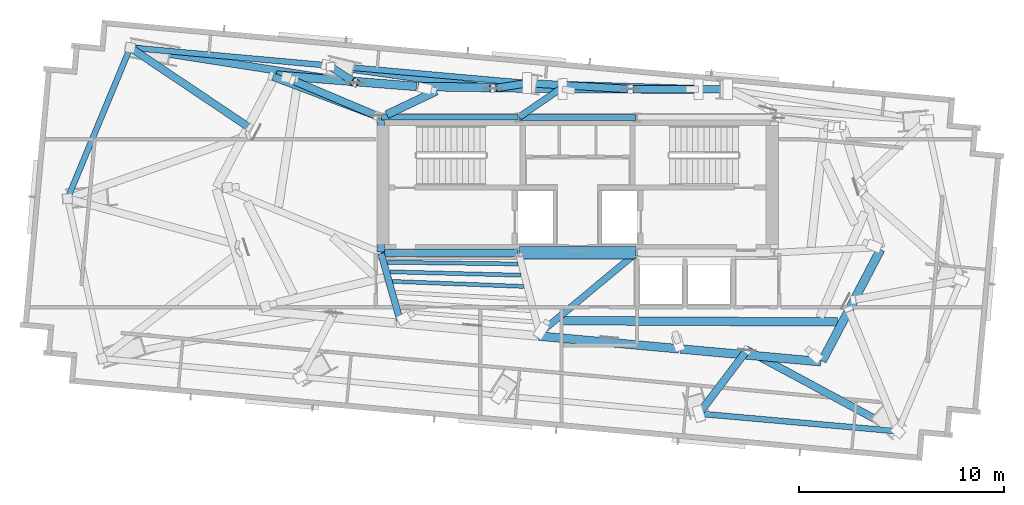
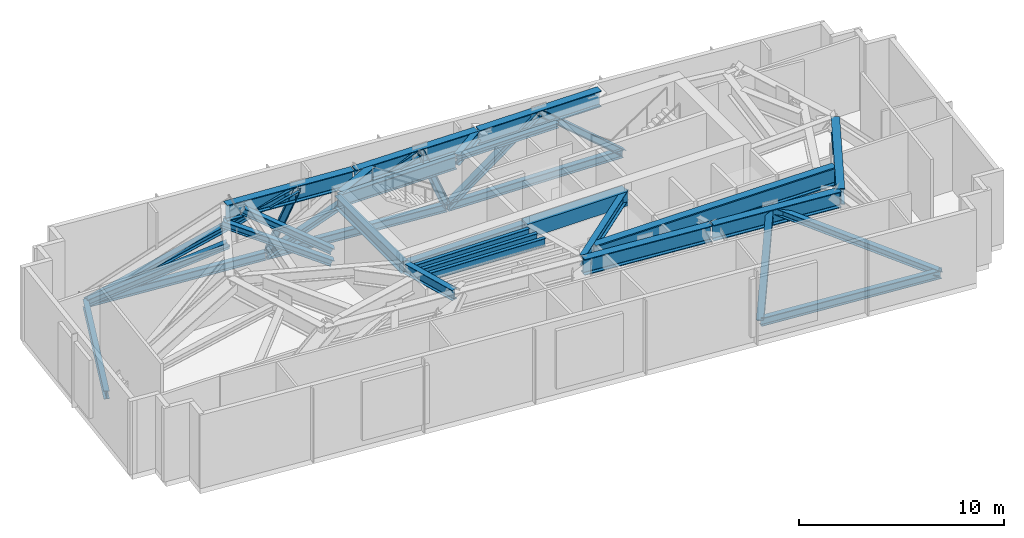
# One storey, part 2 of 9: 19 beams, 16 members.
"""IFC4 building model written with IfcOpenShell, lengths in metres."""

import ifcopenshell
import ifcopenshell.guid

model = None  # the IFC model being written
_history = None  # IfcOwnerHistory: only IFC2X3 demands one
_inside = {}  # id of a spatial element -> (the spatial element, [elements in it])
_under = {}  # id of a project, library or spatial element -> (it, [spatial elements below it])
_declared = {}  # id of a project -> (the project, [libraries it declares])
_typed = {}  # id of a type object -> (the type object, [elements of that type])
_made_of = {}  # id of a material, layer set ... -> (it, [elements and type objects made of it])


def new_model(schema):
    """Start an empty IFC model of exactly this schema.

    Asked for "IFC4X3", IfcOpenShell would pick the latest addendum, in which some entities
    have other attributes; the version numbers below select the first issue.
    IFC2X3 requires an IfcOwnerHistory on every rooted entity: one is made here for all.
    """
    global model, _history
    if schema == "IFC4X3":
        model = ifcopenshell.file(schema_version=(4, 3, 0, 0))
    else:
        model = ifcopenshell.file(schema=schema)
    _inside.clear()
    _under.clear()
    _declared.clear()
    _typed.clear()
    _made_of.clear()
    _history = None
    if model.schema == "IFC2X3":
        org = make("IfcOrganization", Name="unknown")
        user = make(
            "IfcPersonAndOrganization",
            ThePerson=make("IfcPerson", FamilyName="unknown"),
            TheOrganization=org,
        )
        app = make(
            "IfcApplication",
            ApplicationDeveloper=org,
            Version="unknown",
            ApplicationFullName="unknown",
            ApplicationIdentifier="unknown",
        )
        _history = make(
            "IfcOwnerHistory",
            OwningUser=user,
            OwningApplication=app,
            ChangeAction="ADDED",
            CreationDate=0,
        )
    return model


def make(cls, **values):
    """One entity of the class cls with the attributes given. An attribute that is None is left unset."""
    return model.create_entity(
        cls, **{name: value for name, value in values.items() if value is not None}
    )


def rooted(cls, **values):
    """An entity with a GlobalId (a new one), such as an element, a storey or a relation."""
    return make(cls, GlobalId=ifcopenshell.guid.new(), OwnerHistory=_history, **values)


def si_unit(unit_type, name, prefix=None):
    """IfcSIUnit, for example si_unit("LENGTHUNIT", "METRE", prefix="MILLI")."""
    return make("IfcSIUnit", UnitType=unit_type, Prefix=prefix, Name=name)


def assignment(units):
    """IfcUnitAssignment: the units of a project."""
    return None if units is None else make("IfcUnitAssignment", Units=units)


def point(xyz):
    """IfcCartesianPoint."""
    return None if xyz is None else make("IfcCartesianPoint", Coordinates=xyz)


def direction(xyz):
    """IfcDirection."""
    return None if xyz is None else make("IfcDirection", DirectionRatios=xyz)


def frame(location, z_axis=None, x_axis=None):
    """IfcAxis2Placement3D, a coordinate frame: its origin and axes. An axis left out is left unset."""
    return make(
        "IfcAxis2Placement3D",
        Location=point(location),
        Axis=direction(z_axis),
        RefDirection=direction(x_axis),
    )


def frame_2d(location, x_axis=None):
    """IfcAxis2Placement2D, a coordinate frame in the plane: its origin and x axis."""
    return make(
        "IfcAxis2Placement2D", Location=point(location), RefDirection=direction(x_axis)
    )


def origin():
    """The frame at (0, 0, 0) with its axes left unset."""
    return frame((0.0, 0.0, 0.0))


def origin_2d():
    """The frame at (0, 0) in the plane with its x axis left unset."""
    return frame_2d((0.0, 0.0))


def place(relative_to, where):
    """IfcLocalPlacement: puts the frame where relative to a parent placement (None: the world)."""
    return make(
        "IfcLocalPlacement", PlacementRelTo=relative_to, RelativePlacement=where
    )


def context(
    kind, dimensions, precision=None, world=None, true_north=None, identifier=None
):
    """IfcGeometricRepresentationContext, for example the 3D "Model" context."""
    return make(
        "IfcGeometricRepresentationContext",
        ContextIdentifier=identifier,
        ContextType=kind,
        CoordinateSpaceDimension=dimensions,
        Precision=precision,
        WorldCoordinateSystem=world,
        TrueNorth=true_north,
    )


def subcontext(parent, identifier, kind, view, scale=None):
    """IfcGeometricRepresentationSubContext, for example "Body" below "Model"."""
    return make(
        "IfcGeometricRepresentationSubContext",
        ContextIdentifier=identifier,
        ContextType=kind,
        ParentContext=parent,
        TargetScale=scale,
        TargetView=view,
    )


def project(units=None, contexts=None):
    """IfcProject with its units and contexts."""
    return rooted(
        "IfcProject",
        Name="project",
        RepresentationContexts=contexts,
        UnitsInContext=assignment(units),
    )


def spatial(cls, under=None, at=None, **own):
    """A site, building, storey or space (cls), placed at a placement, below another one or the project."""
    s = rooted(cls, ObjectPlacement=at, **own)
    if under is not None:
        _under.setdefault(under.id(), (under, []))[1].append(s)
    return s


def profile(cls, at=None, kind="AREA", **sizes):
    """A parametric profile (cls). Its sizes go by their IFC names, for example OverallWidth=200.0."""
    return make(cls, ProfileType=kind, Position=at, **sizes)


def rectangle(**sizes):
    """IfcRectangleProfileDef."""
    return profile("IfcRectangleProfileDef", **sizes)


def i_section(**sizes):
    """IfcIShapeProfileDef."""
    return profile("IfcIShapeProfileDef", **sizes)


def extrude(swept, where, along, depth):
    """IfcExtrudedAreaSolid: the profile swept, set in the frame where, extruded along a direction by depth."""
    return make(
        "IfcExtrudedAreaSolid",
        SweptArea=swept,
        Position=where,
        ExtrudedDirection=direction(along),
        Depth=depth,
    )


def shape(context_of_items, identifier, shape_type, items):
    """IfcShapeRepresentation: the items that make up one representation, for example the "Body"."""
    return make(
        "IfcShapeRepresentation",
        ContextOfItems=context_of_items,
        RepresentationIdentifier=identifier,
        RepresentationType=shape_type,
        Items=items,
    )


def source(mapping_origin, context_of_items, identifier, shape_type, items):
    """IfcRepresentationMap: a shape defined once, which mapped items show again and again."""
    return make(
        "IfcRepresentationMap",
        MappingOrigin=mapping_origin,
        MappedRepresentation=shape(context_of_items, identifier, shape_type, items),
    )


def transform(
    local_origin,
    x_axis=None,
    y_axis=None,
    z_axis=None,
    scale=None,
    scale2=None,
    scale3=None,
    uniform=True,
):
    """IfcCartesianTransformationOperator3D, or its non-uniform kind. x_axis, y_axis, z_axis: its Axis1, 2, 3."""
    if uniform:
        return make(
            "IfcCartesianTransformationOperator3D",
            Axis1=direction(x_axis),
            Axis2=direction(y_axis),
            LocalOrigin=point(local_origin),
            Scale=scale,
            Axis3=direction(z_axis),
        )
    return make(
        "IfcCartesianTransformationOperator3DnonUniform",
        Axis1=direction(x_axis),
        Axis2=direction(y_axis),
        LocalOrigin=point(local_origin),
        Scale=scale,
        Axis3=direction(z_axis),
        Scale2=scale2,
        Scale3=scale3,
    )


def mapped(mapping_source, mapping_target):
    """IfcMappedItem: shows the shape of a source again, moved by a transform."""
    return make(
        "IfcMappedItem", MappingSource=mapping_source, MappingTarget=mapping_target
    )


def material(Name=None, Category=None):
    """IfcMaterial."""
    return make("IfcMaterial", Name=Name, Category=Category)


def material_profile(
    of_material, cross_section, Name=None, Category=None, Priority=None
):
    """IfcMaterialProfile: a cross section and its material."""
    return make(
        "IfcMaterialProfile",
        Name=Name,
        Material=of_material,
        Profile=cross_section,
        Priority=Priority,
        Category=Category,
    )


def profile_set(profiles, Name=None, composite=None):
    """IfcMaterialProfileSet."""
    return make(
        "IfcMaterialProfileSet",
        Name=Name,
        MaterialProfiles=profiles,
        CompositeProfile=composite,
    )


def made_of(thing, what):
    """Note that an element or type object is made of a material, layer set ...; save() writes the relation."""
    if what is not None:
        _made_of.setdefault(what.id(), (what, []))[1].append(thing)
    return thing


def type_object(cls, material=None, **own):
    """A type object (cls), such as IfcWallType, which elements share."""
    return made_of(rooted(cls, **own), material)


def type_shapes(of_type, sources):
    """Give a type object the sources (RepresentationMaps) that its elements show as mapped items."""
    of_type.RepresentationMaps = sources


def element(
    cls,
    number,
    at=None,
    inside=None,
    cuts=None,
    type_object=None,
    material=None,
    context=None,
    identifier="Body",
    shape_type=None,
    held_by="IfcProductDefinitionShape",
    body=None,
    shapes=None,
    **own,
):
    """One element of the class cls, such as IfcWall. Its Tag is "e" and its number.

    at: its placement. inside: the storey or other place that contains it. cuts: it is an
    opening in that element (IfcRelVoidsElement). A single representation is given by context,
    identifier, shape_type and body (its items); several are given by shapes. held_by: the class
    of the entity that holds the representations. save() writes the other relations.
    """
    e = rooted(cls, Tag="e%d" % number, ObjectPlacement=at, **own)
    if body is not None:
        shapes = [shape(context, identifier, shape_type, body)]
    if shapes is not None:
        e.Representation = make(held_by, Representations=shapes)
    if inside is not None:
        _inside.setdefault(inside.id(), (inside, []))[1].append(e)
    if cuts is not None:
        rooted(
            "IfcRelVoidsElement", RelatingBuildingElement=cuts, RelatedOpeningElement=e
        )
    if type_object is not None:
        _typed.setdefault(type_object.id(), (type_object, []))[1].append(e)
    return made_of(e, material)


def aggregate(whole, parts):
    """IfcRelAggregates: a whole, such as a stair, and the parts it consists of."""
    return rooted("IfcRelAggregates", RelatingObject=whole, RelatedObjects=parts)


def save(model, path):
    """Write the relations noted so far, then the file.

    IfcRelAggregates (storeys below a building ...), IfcRelContainedInSpatialStructure (elements
    in a storey), IfcRelDefinesByType, IfcRelAssociatesMaterial and IfcRelDeclares: one each for
    every whole, place, type object, material and project.
    """
    for whole, parts in _under.values():
        aggregate(whole, parts)
    for where, things in _inside.values():
        rooted(
            "IfcRelContainedInSpatialStructure",
            RelatedElements=things,
            RelatingStructure=where,
        )
    for kind, things in _typed.values():
        rooted("IfcRelDefinesByType", RelatedObjects=things, RelatingType=kind)
    for what, things in _made_of.values():
        rooted("IfcRelAssociatesMaterial", RelatedObjects=things, RelatingMaterial=what)
    for by, libraries in _declared.values():
        rooted("IfcRelDeclares", RelatingContext=by, RelatedDefinitions=libraries)
    model.write(path)


model = new_model("IFC4")

# Units and contexts
model_context = context("Model", 3, precision=1e-05, world=origin(), true_north=direction((0.0, 1.0)))
body_context = subcontext(model_context, "Body", "Model", "MODEL_VIEW")
ifc_project = project(units=[si_unit("LENGTHUNIT", "METRE"), si_unit("AREAUNIT", "SQUARE_METRE"), si_unit("VOLUMEUNIT", "CUBIC_METRE"), si_unit("PLANEANGLEUNIT", "RADIAN"), si_unit("MASSUNIT", "GRAM", prefix="KILO")], contexts=[model_context])

# Site, building, storey
site_placement = place(None, origin())
site = spatial("IfcSite", under=ifc_project, at=site_placement, CompositionType="ELEMENT")
building_placement = place(site_placement, origin())
building = spatial("IfcBuilding", under=site, at=building_placement, Name="Astriad Promenade Condominiums", CompositionType="ELEMENT")
storey_placement = place(building_placement, frame((0.0, 0.0, 259.5)))
storey = spatial("IfcBuildingStorey", under=building, at=storey_placement, Name="L75", CompositionType="ELEMENT", Elevation=259.5)

# Beams
ifc_material_1 = material(Name="Steel ASTM A992 Grade 50", Category="steel")
ifc_material_profile_1 = material_profile(ifc_material_1, i_section(OverallWidth=0.3837890625, OverallDepth=0.785888671875, WebThickness=0.019775390625, FlangeThickness=0.033447265625, FilletRadius=0.021484375, at=origin_2d()), Name="W30X211")
ifc_profile_set_1 = profile_set([ifc_material_profile_1], Name="Steel ASTM A992 Grade 50")
beam_type_1 = type_object("IfcBeamType", Name="STEEL FLOOR GIRDER W30X211", PredefinedType="BEAM", material=ifc_profile_set_1)
shared_shape_1 = source(origin(), body_context, "Body", "SweptSolid", [
    extrude(i_section(OverallWidth=0.3837890625, OverallDepth=0.785888671875, WebThickness=0.019775390625, FlangeThickness=0.033447265625, FilletRadius=0.021484375, at=origin_2d()), origin(), (0.0, 0.0, 1.0), 6.64013671875),
])
type_shapes(beam_type_1, [shared_shape_1])
beam_1_placement = place(storey_placement, frame((26.43994140625, 17.39990234375, 3.987060546875), z_axis=(1.0, 0.0, 0.0), x_axis=(0.0, 1.0, 0.0)))
element("IfcBeam", 1, at=beam_1_placement, inside=storey, type_object=beam_type_1, Name="Core Ring Beam CG-S1-L75", PredefinedType="BEAM", context=body_context, shape_type="MappedRepresentation", body=[
    mapped(shared_shape_1, transform((0.0, 0.0, 0.0), scale=1.0)),
])
ifc_material_profile_2 = material_profile(ifc_material_1, i_section(OverallWidth=0.267822265625, OverallDepth=0.76953125, WebThickness=0.015625, FlangeThickness=0.025390625, FilletRadius=0.021484375, at=origin_2d()), Name="W30X132")
ifc_profile_set_2 = profile_set([ifc_material_profile_2], Name="Steel ASTM A992 Grade 50")
beam_type_2 = type_object("IfcBeamType", Name="STEEL FLOOR GIRDER W30X132", PredefinedType="BEAM", material=ifc_profile_set_2)
shared_shape_2 = source(origin(), body_context, "Body", "SweptSolid", [
    extrude(i_section(OverallWidth=0.267822265625, OverallDepth=0.76953125, WebThickness=0.015625, FlangeThickness=0.025390625, FilletRadius=0.021484375, at=origin_2d()), origin(), (0.0, 0.0, 1.0), 6.64013671875),
])
type_shapes(beam_type_2, [shared_shape_2])
beam_2_placement = place(storey_placement, frame((26.43994140625, 24.0, 3.9951171875), z_axis=(1.0, 0.0, 0.0), x_axis=(0.0, 1.0, 0.0)))
element("IfcBeam", 2, at=beam_2_placement, inside=storey, type_object=beam_type_2, Name="Core Ring Beam CG-N1-L75", PredefinedType="BEAM", context=body_context, shape_type="MappedRepresentation", body=[
    mapped(shared_shape_2, transform((0.0, 0.0, 0.0), scale=1.0)),
])
ifc_material_profile_3 = material_profile(ifc_material_1, i_section(OverallWidth=0.3046875, OverallDepth=0.307861328125, WebThickness=0.010009765625, FlangeThickness=0.015380859375, FilletRadius=0.01513671875, at=origin_2d()), Name="W12X65")
ifc_profile_set_3 = profile_set([ifc_material_profile_3], Name="Steel ASTM A992 Grade 50")
beam_type_3 = type_object("IfcBeamType", Name="STEEL OPENING LINTEL W12X65", PredefinedType="LINTEL", material=ifc_profile_set_3)
shared_shape_3 = source(origin(), body_context, "Body", "SweptSolid", [
    extrude(i_section(OverallWidth=0.3046875, OverallDepth=0.307861328125, WebThickness=0.010009765625, FlangeThickness=0.015380859375, FilletRadius=0.01513671875, at=origin_2d()), origin(), (0.0, 0.0, 1.0), 5.68017578125),
])
type_shapes(beam_type_3, [shared_shape_3])
beam_3_placement = place(storey_placement, frame((33.159912109375, 24.0, 4.22607421875), z_axis=(1.0, 0.0, 0.0), x_axis=(0.0, 1.0, 0.0)))
element("IfcBeam", 3, at=beam_3_placement, inside=storey, type_object=beam_type_3, Name="Core Ring Beam CG-N2-L75", PredefinedType="LINTEL", context=body_context, shape_type="MappedRepresentation", body=[
    mapped(shared_shape_3, transform((0.0, 0.0, 0.0), scale=1.0)),
])
ifc_material_profile_4 = material_profile(ifc_material_1, i_section(OverallWidth=0.35791015625, OverallDepth=0.706298828125, WebThickness=0.018310546875, FlangeThickness=0.0302734375, FilletRadius=0.020263671875, at=origin_2d()), Name="W27X178")
ifc_profile_set_4 = profile_set([ifc_material_profile_4], Name="Steel ASTM A992 Grade 50")
beam_type_4 = type_object("IfcBeamType", Name="STEEL FLOOR GIRDER W27X178", PredefinedType="BEAM", material=ifc_profile_set_4)
shared_shape_4 = source(origin(), body_context, "Body", "SweptSolid", [
    extrude(i_section(OverallWidth=0.35791015625, OverallDepth=0.706298828125, WebThickness=0.018310546875, FlangeThickness=0.0302734375, FilletRadius=0.020263671875, at=origin_2d()), origin(), (0.0, 0.0, 1.0), 6.52001953125),
])
type_shapes(beam_type_4, [shared_shape_4])
beam_4_placement = place(storey_placement, frame((26.39990234375, 17.43994140625, 4.02685546875), z_axis=(0.0, 1.0, 0.0), x_axis=(-1.0, 0.0, 0.0)))
element("IfcBeam", 4, at=beam_4_placement, inside=storey, type_object=beam_type_4, Name="Core Ring Beam CG-W1-L75", PredefinedType="BEAM", context=body_context, shape_type="MappedRepresentation", body=[
    mapped(shared_shape_4, transform((0.0, 0.0, 0.0), scale=1.0)),
])
ifc_material_2 = material(Name="Concrete C60/75", Category="concrete")
ifc_material_profile_5 = material_profile(ifc_material_2, rectangle(XDim=0.60009765625, YDim=0.85009765625, at=origin_2d()), Name="RC-BM-600X850")
ifc_profile_set_5 = profile_set([ifc_material_profile_5], Name="Concrete C60/75")
beam_type_5 = type_object("IfcBeamType", Name="CONCRETE CORE COUPLING LINTEL 600X850", PredefinedType="LINTEL", material=ifc_profile_set_5)
shared_shape_5 = source(origin(), body_context, "Body", "SweptSolid", [
    extrude(rectangle(XDim=0.60009765625, YDim=0.85009765625, at=origin_2d()), origin(), (0.0, 0.0, 1.0), 5.68017578125),
])
type_shapes(beam_type_5, [shared_shape_5])
beam_5_placement = place(storey_placement, frame((33.159912109375, 17.39990234375, 3.955078125), z_axis=(1.0, 0.0, 0.0), x_axis=(0.0, 1.0, 0.0)))
element("IfcBeam", 5, at=beam_5_placement, inside=storey, type_object=beam_type_5, Name="Core Ring Beam CG-S2-L75", PredefinedType="LINTEL", context=body_context, shape_type="MappedRepresentation", body=[
    mapped(shared_shape_5, transform((0.0, 0.0, 0.0), scale=1.0)),
])
ifc_material_profile_6 = material_profile(ifc_material_1, i_section(OverallWidth=0.423095703125, OverallDepth=0.9482421875, WebThickness=0.02392578125, FlangeThickness=0.042724609375, FilletRadius=0.024169921875, at=origin_2d()), Name="W36X302")
ifc_profile_set_6 = profile_set([ifc_material_profile_6], Name="Steel ASTM A992 Grade 50")
beam_type_6 = type_object("IfcBeamType", Name="STEEL PERIMETER RING GIRDER W36X302", PredefinedType="BEAM", material=ifc_profile_set_6)
shared_shape_6 = source(origin(), body_context, "Body", "SweptSolid", [
    extrude(i_section(OverallWidth=0.423095703125, OverallDepth=0.9482421875, WebThickness=0.02392578125, FlangeThickness=0.042724609375, FilletRadius=0.024169921875, at=origin_2d()), origin(), (0.0, 0.0, 1.0), 6.877197265625),
])
for number, where, z_axis, x_axis, name in (
    (6, (34.1015625, 13.33203125, 3.906005859375), (0.995884472304, -0.090631770498, 0.0), (0.090631770498, 0.995884472304, 0.0), "Perimeter Spandrel Beam SP-S3-L75"),
    (7, (41.030029296875, 12.70166015625, 3.906005859375), (0.995881267496, -0.090666978832, 0.0), (0.090666978832, 0.995881267496, 0.0), "Perimeter Spandrel Beam SP-S4-L75"),
):
    element("IfcBeam", number, at=place(storey_placement, frame(where, z_axis=z_axis, x_axis=x_axis)), inside=storey, type_object=beam_type_6, Name=name, PredefinedType="BEAM", context=body_context, shape_type="MappedRepresentation", body=[
        mapped(shared_shape_6, transform((0.0, 0.0, 0.0), scale=1.0)),
    ])
shared_shape_7 = source(origin(), body_context, "Body", "SweptSolid", [
    extrude(i_section(OverallWidth=0.423095703125, OverallDepth=0.9482421875, WebThickness=0.02392578125, FlangeThickness=0.042724609375, FilletRadius=0.024169921875, at=origin_2d()), origin(), (0.0, 0.0, 1.0), 6.150390625),
])
beam_6_placement = place(storey_placement, frame((47.9375, 12.110107421875, 3.906005859375), z_axis=(0.464153831605, 0.885754605185, 0.0), x_axis=(-0.885754605185, 0.464153831605, 0.0)))
element("IfcBeam", 8, at=beam_6_placement, inside=storey, type_object=beam_type_6, Name="Perimeter Spandrel Beam SP-E1-L75", PredefinedType="BEAM", context=body_context, shape_type="MappedRepresentation", body=[
    mapped(shared_shape_7, transform((0.0, 0.0, 0.0), scale=1.0)),
])
shared_shape_8 = source(origin(), body_context, "Body", "SweptSolid", [
    extrude(i_section(OverallWidth=0.423095703125, OverallDepth=0.9482421875, WebThickness=0.02392578125, FlangeThickness=0.042724609375, FilletRadius=0.024169921875, at=origin_2d()), origin(), (0.0, 0.0, 1.0), 6.848388671875),
])
beam_7_placement = place(storey_placement, frame((41.993896484375, 25.380126953125, 3.906005859375), z_axis=(-0.99998841934, 0.004812606916, 0.0), x_axis=(-0.004812606916, -0.99998841934, 0.0)))
element("IfcBeam", 9, at=beam_7_placement, inside=storey, type_object=beam_type_6, Name="Perimeter Spandrel Beam SP-N3-L75", PredefinedType="BEAM", context=body_context, shape_type="MappedRepresentation", body=[
    mapped(shared_shape_8, transform((0.0, 0.0, 0.0), scale=1.0)),
])
shared_shape_9 = source(origin(), body_context, "Body", "SweptSolid", [
    extrude(i_section(OverallWidth=0.423095703125, OverallDepth=0.9482421875, WebThickness=0.02392578125, FlangeThickness=0.042724609375, FilletRadius=0.024169921875, at=origin_2d()), origin(), (0.0, 0.0, 1.0), 6.849365234375),
])
beam_8_placement = place(storey_placement, frame((35.0654296875, 25.413818359375, 3.906005859375), z_axis=(-0.999901378742, 0.014043959191, 0.0), x_axis=(-0.014043959191, -0.999901378742, 0.0)))
element("IfcBeam", 10, at=beam_8_placement, inside=storey, type_object=beam_type_6, Name="Perimeter Spandrel Beam SP-N2-L75", PredefinedType="BEAM", context=body_context, shape_type="MappedRepresentation", body=[
    mapped(shared_shape_9, transform((0.0, 0.0, 0.0), scale=1.0)),
])
shared_shape_10 = source(origin(), body_context, "Body", "SweptSolid", [
    extrude(i_section(OverallWidth=0.423095703125, OverallDepth=0.9482421875, WebThickness=0.02392578125, FlangeThickness=0.042724609375, FilletRadius=0.024169921875, at=origin_2d()), origin(), (0.0, 0.0, 1.0), 6.870849609375),
])
type_shapes(beam_type_6, [shared_shape_6, shared_shape_7, shared_shape_8, shared_shape_9, shared_shape_10])
beam_9_placement = place(storey_placement, frame((28.136962890625, 25.513671875, 3.906005859375), z_axis=(-0.996804649368, 0.079877975681, 0.0), x_axis=(-0.079877975681, -0.996804649368, 0.0)))
element("IfcBeam", 11, at=beam_9_placement, inside=storey, type_object=beam_type_6, Name="Perimeter Spandrel Beam SP-N1-L75", PredefinedType="BEAM", context=body_context, shape_type="MappedRepresentation", body=[
    mapped(shared_shape_10, transform((0.0, 0.0, 0.0), scale=1.0)),
])
ifc_material_profile_7 = material_profile(ifc_material_1, i_section(OverallWidth=0.326416015625, OverallDepth=0.621826171875, WebThickness=0.015380859375, FlangeThickness=0.0244140625, FilletRadius=0.017822265625, at=origin_2d()), Name="W24X131")
ifc_profile_set_7 = profile_set([ifc_material_profile_7], Name="Steel ASTM A992 Grade 50")
beam_type_7 = type_object("IfcBeamType", Name="STEEL FLOOR GIRDER W24X131", PredefinedType="BEAM", material=ifc_profile_set_7)
shared_shape_11 = source(origin(), body_context, "Body", "SweptSolid", [
    extrude(i_section(OverallWidth=0.326416015625, OverallDepth=0.621826171875, WebThickness=0.015380859375, FlangeThickness=0.0244140625, FilletRadius=0.017822265625, at=origin_2d()), origin(), (0.0, 0.0, 1.0), 3.368408203125),
])
beam_10_placement = place(storey_placement, frame((27.32666015625, 14.1201171875, 4.069091796875), z_axis=(-0.271876751641, 0.962332079855, 0.0), x_axis=(-0.962332079855, -0.271876751641, 0.0)))
element("IfcBeam", 12, at=beam_10_placement, inside=storey, type_object=beam_type_7, Name="Primary Floor Girder PG-W2-L75", PredefinedType="BEAM", context=body_context, shape_type="MappedRepresentation", body=[
    mapped(shared_shape_11, transform((0.0, 0.0, 0.0), scale=1.0)),
])
shared_shape_12 = source(origin(), body_context, "Body", "SweptSolid", [
    extrude(i_section(OverallWidth=0.326416015625, OverallDepth=0.621826171875, WebThickness=0.015380859375, FlangeThickness=0.0244140625, FilletRadius=0.017822265625, at=origin_2d()), origin(), (0.0, 0.0, 1.0), 6.07958984375),
])
beam_11_placement = place(storey_placement, frame((34.17431640625, 13.48779296875, 4.069091796875), z_axis=(0.768944948352, 0.639314997794, 0.0), x_axis=(-0.639314997794, 0.768944948352, 0.0)))
element("IfcBeam", 13, at=beam_11_placement, inside=storey, type_object=beam_type_7, Name="Primary Floor Girder PG-C2-L75", PredefinedType="BEAM", context=body_context, shape_type="MappedRepresentation", body=[
    mapped(shared_shape_12, transform((0.0, 0.0, 0.0), scale=1.0)),
])
shared_shape_13 = source(origin(), body_context, "Body", "SweptSolid", [
    extrude(i_section(OverallWidth=0.326416015625, OverallDepth=0.621826171875, WebThickness=0.015380859375, FlangeThickness=0.0244140625, FilletRadius=0.017822265625, at=origin_2d()), origin(), (0.0, 0.0, 1.0), 2.4052734375),
])
type_shapes(beam_type_7, [shared_shape_11, shared_shape_12, shared_shape_13])
beam_12_placement = place(storey_placement, frame((35.139404296875, 25.379150390625, 4.069091796875), z_axis=(-0.8258148171, -0.563941386899, 0.0), x_axis=(0.563941386899, -0.8258148171, 0.0)))
element("IfcBeam", 14, at=beam_12_placement, inside=storey, type_object=beam_type_7, Name="Primary Floor Girder PG-NC-L75", PredefinedType="BEAM", context=body_context, shape_type="MappedRepresentation", body=[
    mapped(shared_shape_13, transform((0.0, 0.0, 0.0), scale=1.0)),
])
ifc_material_profile_8 = material_profile(ifc_material_1, i_section(OverallWidth=0.19287109375, OverallDepth=0.466064453125, WebThickness=0.011474609375, FlangeThickness=0.01904296875, FilletRadius=0.01513671875, at=origin_2d()), Name="W18X65")
ifc_profile_set_8 = profile_set([ifc_material_profile_8], Name="Steel ASTM A992 Grade 50")
beam_type_8 = type_object("IfcBeamType", Name="STEEL FLOOR JOIST W18X65", PredefinedType="JOIST", material=ifc_profile_set_8)
shared_shape_14 = source(origin(), body_context, "Body", "SweptSolid", [
    extrude(i_section(OverallWidth=0.19287109375, OverallDepth=0.466064453125, WebThickness=0.011474609375, FlangeThickness=0.01904296875, FilletRadius=0.01513671875, at=origin_2d()), origin(), (0.0, 0.0, 1.0), 6.39892578125),
])
beam_13_placement = place(storey_placement, frame((26.97509765625, 15.999267578125, 4.14697265625), z_axis=(0.999258749353, -0.038496127605, 0.0), x_axis=(0.038496127605, 0.999258749353, 0.0)))
element("IfcBeam", 15, at=beam_13_placement, inside=storey, type_object=beam_type_8, Name="Secondary Composite Floor Joist JCW-4-L75", PredefinedType="JOIST", context=body_context, shape_type="MappedRepresentation", body=[
    mapped(shared_shape_14, transform((0.0, 0.0, 0.0), scale=1.0)),
])
shared_shape_15 = source(origin(), body_context, "Body", "SweptSolid", [
    extrude(i_section(OverallWidth=0.19287109375, OverallDepth=0.466064453125, WebThickness=0.011474609375, FlangeThickness=0.01904296875, FilletRadius=0.01513671875, at=origin_2d()), origin(), (0.0, 0.0, 1.0), 6.3857421875),
])
beam_14_placement = place(storey_placement, frame((26.84326171875, 16.46630859375, 4.14697265625), z_axis=(0.999668914109, -0.025730568677, 0.0), x_axis=(0.025730568677, 0.999668914109, 0.0)))
element("IfcBeam", 16, at=beam_14_placement, inside=storey, type_object=beam_type_8, Name="Secondary Composite Floor Joist JCW-5-L75", PredefinedType="JOIST", context=body_context, shape_type="MappedRepresentation", body=[
    mapped(shared_shape_15, transform((0.0, 0.0, 0.0), scale=1.0)),
])
shared_shape_16 = source(origin(), body_context, "Body", "SweptSolid", [
    extrude(i_section(OverallWidth=0.19287109375, OverallDepth=0.466064453125, WebThickness=0.011474609375, FlangeThickness=0.01904296875, FilletRadius=0.01513671875, at=origin_2d()), origin(), (0.0, 0.0, 1.0), 6.373046875),
])
type_shapes(beam_type_8, [shared_shape_14, shared_shape_15, shared_shape_16])
beam_15_placement = place(storey_placement, frame((26.71142578125, 16.93310546875, 4.14697265625), z_axis=(0.999917158678, -0.012871510433, 0.0), x_axis=(0.012871510433, 0.999917158678, 0.0)))
element("IfcBeam", 17, at=beam_15_placement, inside=storey, type_object=beam_type_8, Name="Secondary Composite Floor Joist JCW-6-L75", PredefinedType="JOIST", context=body_context, shape_type="MappedRepresentation", body=[
    mapped(shared_shape_16, transform((0.0, 0.0, 0.0), scale=1.0)),
])
ifc_material_profile_9 = material_profile(ifc_material_1, i_section(OverallWidth=0.4169921875, OverallDepth=1.093505859375, WebThickness=0.0390625, FlangeThickness=0.070068359375, FilletRadius=0.025390625, at=origin_2d()), Name="W40X503")
ifc_profile_set_9 = profile_set([ifc_material_profile_9], Name="Steel ASTM A992 Grade 50")
beam_type_9 = type_object("IfcBeamType", Name="STEEL TRANSFER GIRDER W40X503", PredefinedType="BEAM", material=ifc_profile_set_9)
shared_shape_17 = source(origin(), body_context, "Body", "SweptSolid", [
    extrude(i_section(OverallWidth=0.4169921875, OverallDepth=1.093505859375, WebThickness=0.0390625, FlangeThickness=0.070068359375, FilletRadius=0.025390625, at=origin_2d()), origin(), (0.0, 0.0, 1.0), 13.532958984375),
])
type_shapes(beam_type_9, [shared_shape_17])
beam_16_placement = place(storey_placement, frame((48.6884765625, 14.01806640625, 3.833251953125), z_axis=(-0.99998848574, 0.004798790135, 0.0), x_axis=(-0.004798790135, -0.99998848574, 0.0)))
element("IfcBeam", 18, at=beam_16_placement, inside=storey, type_object=beam_type_9, Name="Transfer Splice Carrier TRM-SP-PC03-L75", PredefinedType="BEAM", context=body_context, shape_type="MappedRepresentation", body=[
    mapped(shared_shape_17, transform((0.0, 0.0, 0.0), scale=1.0)),
])
ifc_material_profile_10 = material_profile(ifc_material_1, i_section(OverallWidth=0.4013671875, OverallDepth=0.877197265625, WebThickness=0.022216796875, FlangeThickness=0.039794921875, FilletRadius=0.02294921875, at=origin_2d()), Name="W33X263")
ifc_profile_set_10 = profile_set([ifc_material_profile_10], Name="Steel ASTM A992 Grade 50")
beam_type_10 = type_object("IfcBeamType", Name="STEEL TRANSFER CARRIER GIRDER W33X263", PredefinedType="BEAM", material=ifc_profile_set_10)
shared_shape_18 = source(origin(), body_context, "Body", "SweptSolid", [
    extrude(i_section(OverallWidth=0.4013671875, OverallDepth=0.877197265625, WebThickness=0.022216796875, FlangeThickness=0.039794921875, FilletRadius=0.02294921875, at=origin_2d()), origin(), (0.0, 0.0, 1.0), 2.6787109375),
])
type_shapes(beam_type_10, [shared_shape_18])
beam_17_placement = place(storey_placement, frame((26.690185546875, 24.13818359375, 3.94140625), z_axis=(0.902865572919, 0.429922966632, 0.0), x_axis=(-0.429922966632, 0.902865572919, 0.0)))
element("IfcBeam", 19, at=beam_17_placement, inside=storey, type_object=beam_type_10, Name="Transfer Splice Carrier TRM-SP-PC07-L75", PredefinedType="BEAM", context=body_context, shape_type="MappedRepresentation", body=[
    mapped(shared_shape_18, transform((0.0, 0.0, 0.0), scale=1.0)),
])

# Members
ifc_material_profile_11 = material_profile(ifc_material_1, i_section(OverallWidth=0.283447265625, OverallDepth=0.489013671875, WebThickness=0.01708984375, FlangeThickness=0.030517578125, FilletRadius=0.01513671875, at=origin_2d()), Name="W18X130")
ifc_profile_set_11 = profile_set([ifc_material_profile_11], Name="Steel ASTM A992 Grade 50")
member_type_1 = type_object("IfcMemberType", Name="STEEL BELT TRUSS CHORD W18X130", PredefinedType="CHORD", material=ifc_profile_set_11)
shared_shape_19 = source(origin(), body_context, "Body", "SweptSolid", [
    extrude(i_section(OverallWidth=0.283447265625, OverallDepth=0.489013671875, WebThickness=0.01708984375, FlangeThickness=0.030517578125, FilletRadius=0.01513671875, at=origin_2d()), origin(), (0.0, 0.0, 1.0), 9.701416015625),
])
member_1_placement = place(storey_placement, frame((41.946533203125, 9.541259765625, 0.139892578125), z_axis=(0.996115774982, -0.088053181837, 0.0), x_axis=(0.088053181837, 0.996115774982, 0.0)))
element("IfcMember", 20, at=member_1_placement, inside=storey, type_object=member_type_1, Name="Belt Truss Chord L75-04", PredefinedType="CHORD", context=body_context, shape_type="MappedRepresentation", body=[
    mapped(shared_shape_19, transform((0.0, 0.0, 0.0), scale=1.0)),
])
ifc_material_profile_12 = material_profile(ifc_material_1, i_section(OverallWidth=0.368896484375, OverallDepth=0.356201171875, WebThickness=0.01123046875, FlangeThickness=0.01806640625, FilletRadius=0.017822265625, at=origin_2d()), Name="W14X90")
ifc_profile_set_12 = profile_set([ifc_material_profile_12], Name="Steel ASTM A992 Grade 50")
member_type_2 = type_object("IfcMemberType", Name="STEEL BELT TRUSS DIAGONAL W14X90", PredefinedType="BRACE", material=ifc_profile_set_12)
shared_shape_20 = source(origin(), body_context, "Body", "SweptSolid", [
    extrude(i_section(OverallWidth=0.368896484375, OverallDepth=0.356201171875, WebThickness=0.01123046875, FlangeThickness=0.01806640625, FilletRadius=0.017822265625, at=origin_2d()), origin(), (0.0, 0.0, 1.0), 5.574951171875),
])
member_2_placement = place(storey_placement, frame((41.93212890625, 9.55712890625, 0.157958984375), z_axis=(0.41805080067, 0.551576559233, 0.721801099586), x_axis=(-0.796960150472, 0.604031885383, 0.0)))
element("IfcMember", 21, at=member_2_placement, inside=storey, type_object=member_type_2, Name="Belt Truss Diagonal L75-04A", PredefinedType="BRACE", context=body_context, shape_type="MappedRepresentation", body=[
    mapped(shared_shape_20, transform((0.0, 0.0, 0.0), scale=1.0)),
])
shared_shape_21 = source(origin(), body_context, "Body", "SweptSolid", [
    extrude(i_section(OverallWidth=0.368896484375, OverallDepth=0.356201171875, WebThickness=0.01123046875, FlangeThickness=0.01806640625, FilletRadius=0.017822265625, at=origin_2d()), origin(), (0.0, 0.0, 1.0), 9.243896484375),
])
member_3_placement = place(storey_placement, frame((51.615478515625, 8.6953125, 0.15087890625), z_axis=(-0.79214177323, 0.426218915626, 0.436862503617), x_axis=(-0.473824912619, -0.880619073255, 0.0)))
element("IfcMember", 22, at=member_3_placement, inside=storey, type_object=member_type_2, Name="Belt Truss Diagonal L75-04B", PredefinedType="BRACE", context=body_context, shape_type="MappedRepresentation", body=[
    mapped(shared_shape_21, transform((0.0, 0.0, 0.0), scale=1.0)),
])
shared_shape_22 = source(origin(), body_context, "Body", "SweptSolid", [
    extrude(i_section(OverallWidth=0.283447265625, OverallDepth=0.489013671875, WebThickness=0.01708984375, FlangeThickness=0.030517578125, FilletRadius=0.01513671875, at=origin_2d()), origin(), (0.0, 0.0, 1.0), 9.666259765625),
])
member_4_placement = place(storey_placement, frame((14.1923828125, 27.4072265625, 0.139892578125), z_axis=(0.995960830524, -0.089788774694, 0.0), x_axis=(0.089788774694, 0.995960830524, 0.0)))
element("IfcMember", 23, at=member_4_placement, inside=storey, type_object=member_type_1, Name="Belt Truss Chord L75-05", PredefinedType="CHORD", context=body_context, shape_type="MappedRepresentation", body=[
    mapped(shared_shape_22, transform((0.0, 0.0, 0.0), scale=1.0)),
])
shared_shape_23 = source(origin(), body_context, "Body", "SweptSolid", [
    extrude(i_section(OverallWidth=0.368896484375, OverallDepth=0.356201171875, WebThickness=0.01123046875, FlangeThickness=0.01806640625, FilletRadius=0.017822265625, at=origin_2d()), origin(), (0.0, 0.0, 1.0), 11.77685546875),
])
member_5_placement = place(storey_placement, frame((14.19091796875, 27.406005859375, 0.148681640625), z_axis=(0.928021357774, -0.144698858001, 0.343276273587), x_axis=(0.154060420239, 0.988061428716, 0.0)))
element("IfcMember", 24, at=member_5_placement, inside=storey, type_object=member_type_2, Name="Belt Truss Diagonal L75-05A", PredefinedType="BRACE", context=body_context, shape_type="MappedRepresentation", body=[
    mapped(shared_shape_23, transform((0.0, 0.0, 0.0), scale=1.0)),
])
shared_shape_24 = source(origin(), body_context, "Body", "SweptSolid", [
    extrude(i_section(OverallWidth=0.368896484375, OverallDepth=0.356201171875, WebThickness=0.01123046875, FlangeThickness=0.01806640625, FilletRadius=0.017822265625, at=origin_2d()), origin(), (0.0, 0.0, 1.0), 4.019287109375),
])
member_6_placement = place(storey_placement, frame((23.934326171875, 26.479248046875, 0.42041015625), z_axis=(0.298918151784, -0.193103191327, 0.934536835033), x_axis=(0.542628312826, 0.839972924635, 0.0)))
element("IfcMember", 25, at=member_6_placement, inside=storey, type_object=member_type_2, Name="Belt Truss Diagonal L75-05B", PredefinedType="BRACE", context=body_context, shape_type="MappedRepresentation", body=[
    mapped(shared_shape_24, transform((0.0, 0.0, 0.0), scale=1.0)),
])
shared_shape_25 = source(origin(), body_context, "Body", "SweptSolid", [
    extrude(i_section(OverallWidth=0.283447265625, OverallDepth=0.489013671875, WebThickness=0.01708984375, FlangeThickness=0.030517578125, FilletRadius=0.01513671875, at=origin_2d()), origin(), (0.0, 0.0, 1.0), 9.70068359375),
])
member_7_placement = place(storey_placement, frame((23.869384765625, 26.534912109375, 0.139892578125), z_axis=(0.99611518957, -0.088059804151, 0.0), x_axis=(0.088059804151, 0.99611518957, 0.0)))
element("IfcMember", 26, at=member_7_placement, inside=storey, type_object=member_type_1, Name="Belt Truss Chord L75-06", PredefinedType="CHORD", context=body_context, shape_type="MappedRepresentation", body=[
    mapped(shared_shape_25, transform((0.0, 0.0, 0.0), scale=1.0)),
])
shared_shape_26 = source(origin(), body_context, "Body", "SweptSolid", [
    extrude(i_section(OverallWidth=0.368896484375, OverallDepth=0.356201171875, WebThickness=0.01123046875, FlangeThickness=0.01806640625, FilletRadius=0.017822265625, at=origin_2d()), origin(), (0.0, 0.0, 1.0), 9.016357421875),
])
member_8_placement = place(storey_placement, frame((23.86669921875, 26.533935546875, 0.151123046875), z_axis=(0.885464194374, -0.124177817051, 0.447809144875), x_axis=(0.138881295278, 0.990309035515, 0.0)))
element("IfcMember", 27, at=member_8_placement, inside=storey, type_object=member_type_2, Name="Belt Truss Diagonal L75-06A", PredefinedType="BRACE", context=body_context, shape_type="MappedRepresentation", body=[
    mapped(shared_shape_26, transform((0.0, 0.0, 0.0), scale=1.0)),
])
shared_shape_27 = source(origin(), body_context, "Body", "SweptSolid", [
    extrude(i_section(OverallWidth=0.368896484375, OverallDepth=0.356201171875, WebThickness=0.01123046875, FlangeThickness=0.01806640625, FilletRadius=0.017822265625, at=origin_2d()), origin(), (0.0, 0.0, 1.0), 4.353759765625),
])
member_9_placement = place(storey_placement, frame((33.547607421875, 25.677001953125, 0.1630859375), z_axis=(-0.382547302913, -0.060729804904, 0.921937878509), x_axis=(0.156787717561, -0.987632326133, 0.0)))
element("IfcMember", 28, at=member_9_placement, inside=storey, type_object=member_type_2, Name="Belt Truss Diagonal L75-06B", PredefinedType="BRACE", context=body_context, shape_type="MappedRepresentation", body=[
    mapped(shared_shape_27, transform((0.0, 0.0, 0.0), scale=1.0)),
])
shared_shape_28 = source(origin(), body_context, "Body", "SweptSolid", [
    extrude(i_section(OverallWidth=0.283447265625, OverallDepth=0.489013671875, WebThickness=0.01708984375, FlangeThickness=0.030517578125, FilletRadius=0.01513671875, at=origin_2d()), origin(), (0.0, 0.0, 1.0), 9.708740234375),
])
member_10_placement = place(storey_placement, frame((33.582275390625, 25.677490234375, 0.139892578125), z_axis=(0.9995331388, -0.030553304912, 0.0), x_axis=(0.030553304912, 0.9995331388, 0.0)))
element("IfcMember", 29, at=member_10_placement, inside=storey, type_object=member_type_1, Name="Belt Truss Chord L75-07", PredefinedType="CHORD", context=body_context, shape_type="MappedRepresentation", body=[
    mapped(shared_shape_28, transform((0.0, 0.0, 0.0), scale=1.0)),
])
shared_shape_29 = source(origin(), body_context, "Body", "SweptSolid", [
    extrude(i_section(OverallWidth=0.368896484375, OverallDepth=0.356201171875, WebThickness=0.01123046875, FlangeThickness=0.01806640625, FilletRadius=0.017822265625, at=origin_2d()), origin(), (0.0, 0.0, 1.0), 6.415283203125),
])
member_11_placement = place(storey_placement, frame((33.57666015625, 25.67724609375, 0.15576171875), z_axis=(0.776924474996, -0.045173125242, 0.627971137003), x_axis=(0.058045488409, 0.998313939237, 0.0)))
element("IfcMember", 30, at=member_11_placement, inside=storey, type_object=member_type_2, Name="Belt Truss Diagonal L75-07A", PredefinedType="BRACE", context=body_context, shape_type="MappedRepresentation", body=[
    mapped(shared_shape_29, transform((0.0, 0.0, 0.0), scale=1.0)),
])
shared_shape_30 = source(origin(), body_context, "Body", "SweptSolid", [
    extrude(i_section(OverallWidth=0.368896484375, OverallDepth=0.356201171875, WebThickness=0.01123046875, FlangeThickness=0.01806640625, FilletRadius=0.017822265625, at=origin_2d()), origin(), (0.0, 0.0, 1.0), 6.184326171875),
])
member_12_placement = place(storey_placement, frame((43.29248046875, 25.3798828125, 0.15625), z_axis=(-0.75889940512, 0.001026393286, 0.651207063403), x_axis=(-0.001352474835, -0.999999085405, 0.0)))
element("IfcMember", 31, at=member_12_placement, inside=storey, type_object=member_type_2, Name="Belt Truss Diagonal L75-07B", PredefinedType="BRACE", context=body_context, shape_type="MappedRepresentation", body=[
    mapped(shared_shape_30, transform((0.0, 0.0, 0.0), scale=1.0)),
])
shared_shape_31 = source(origin(), body_context, "Body", "SweptSolid", [
    extrude(i_section(OverallWidth=0.283447265625, OverallDepth=0.489013671875, WebThickness=0.01708984375, FlangeThickness=0.030517578125, FilletRadius=0.01513671875, at=origin_2d()), origin(), (0.0, 0.0, 1.0), 7.931396484375),
])
type_shapes(member_type_1, [shared_shape_19, shared_shape_22, shared_shape_25, shared_shape_28, shared_shape_31])
member_13_placement = place(storey_placement, frame((11.1171875, 20.06103515625, 0.139892578125), z_axis=(0.38338014872, 0.923590635275, 0.0), x_axis=(-0.923590635275, 0.38338014872, 0.0)))
element("IfcMember", 32, at=member_13_placement, inside=storey, type_object=member_type_1, Name="Belt Truss Chord L75-10", PredefinedType="CHORD", context=body_context, shape_type="MappedRepresentation", body=[
    mapped(shared_shape_31, transform((0.0, 0.0, 0.0), scale=1.0)),
])
shared_shape_32 = source(origin(), body_context, "Body", "SweptSolid", [
    extrude(i_section(OverallWidth=0.368896484375, OverallDepth=0.356201171875, WebThickness=0.01123046875, FlangeThickness=0.01806640625, FilletRadius=0.017822265625, at=origin_2d()), origin(), (0.0, 0.0, 1.0), 7.93212890625),
])
type_shapes(member_type_2, [shared_shape_20, shared_shape_21, shared_shape_23, shared_shape_24, shared_shape_26, shared_shape_27, shared_shape_29, shared_shape_30, shared_shape_32])
member_14_placement = place(storey_placement, frame((14.185791015625, 27.397216796875, 0.152099609375), z_axis=(0.72843974102, -0.488796701193, 0.480055547416), x_axis=(0.557199584954, 0.83037860192, 0.0)))
element("IfcMember", 33, at=member_14_placement, inside=storey, type_object=member_type_2, Name="Belt Truss Diagonal L75-10B", PredefinedType="BRACE", context=body_context, shape_type="MappedRepresentation", body=[
    mapped(shared_shape_32, transform((0.0, 0.0, 0.0), scale=1.0)),
])
ifc_material_profile_13 = material_profile(ifc_material_1, i_section(OverallWidth=0.37255859375, OverallDepth=0.367919921875, WebThickness=0.014892578125, FlangeThickness=0.02392578125, FilletRadius=0.017822265625, at=origin_2d()), Name="W14X120")
ifc_profile_set_13 = profile_set([ifc_material_profile_13], Name="Steel ASTM A992 Grade 50")
member_type_3 = type_object("IfcMemberType", Name="STEEL OUTRIGGER DIAGONAL W14X120", PredefinedType="BRACE", material=ifc_profile_set_13)
shared_shape_33 = source(origin(), body_context, "Body", "SweptSolid", [
    extrude(i_section(OverallWidth=0.37255859375, OverallDepth=0.367919921875, WebThickness=0.014892578125, FlangeThickness=0.02392578125, FilletRadius=0.017822265625, at=origin_2d()), origin(), (0.0, 0.0, 1.0), 6.219482421875),
])
member_15_placement = place(storey_placement, frame((26.169677734375, 24.087158203125, 0.373291015625), z_axis=(-0.82269752784, 0.311092561701, 0.475804787429), x_axis=(-0.353694775331, -0.935360896074, 0.0)))
element("IfcMember", 34, at=member_15_placement, inside=storey, type_object=member_type_3, Name="Outrigger Truss Diagonal L75-01A", PredefinedType="BRACE", context=body_context, shape_type="MappedRepresentation", body=[
    mapped(shared_shape_33, transform((0.0, 0.0, 0.0), scale=1.0)),
])
shared_shape_34 = source(origin(), body_context, "Body", "SweptSolid", [
    extrude(i_section(OverallWidth=0.37255859375, OverallDepth=0.367919921875, WebThickness=0.014892578125, FlangeThickness=0.02392578125, FilletRadius=0.017822265625, at=origin_2d()), origin(), (0.0, 0.0, 1.0), 5.235107421875),
])
type_shapes(member_type_3, [shared_shape_33, shared_shape_34])
member_16_placement = place(storey_placement, frame((26.181640625, 24.091796875, 1.0693359375), z_axis=(-0.77947414334, 0.328224184565, 0.533562502929), x_axis=(-0.388081651145, -0.921624995345, 0.0)))
element("IfcMember", 35, at=member_16_placement, inside=storey, type_object=member_type_3, Name="Outrigger Truss Diagonal L75-01B", PredefinedType="BRACE", context=body_context, shape_type="MappedRepresentation", body=[
    mapped(shared_shape_34, transform((0.0, 0.0, 0.0), scale=1.0)),
])

save(model, "model.ifc")
